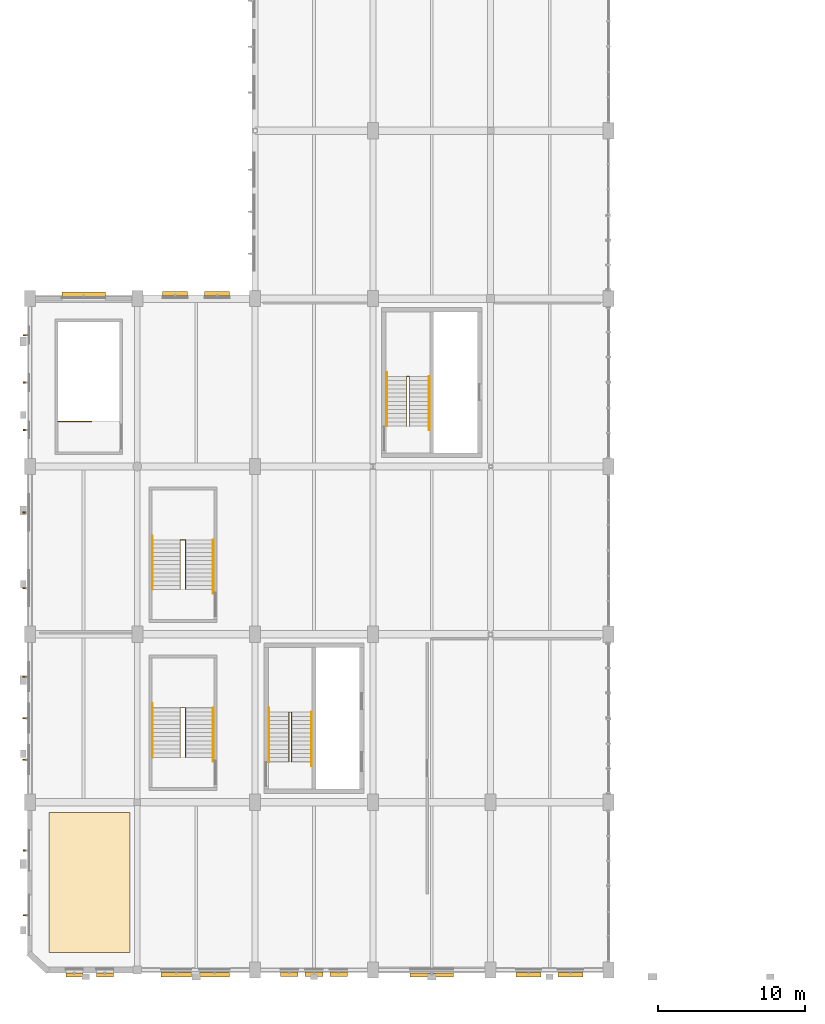
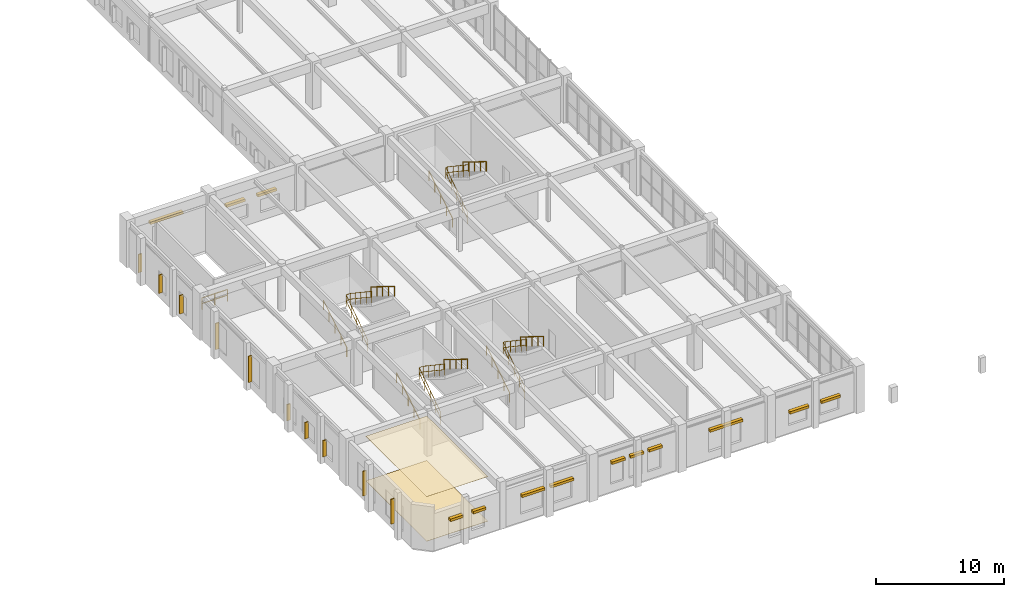
# One storey, part 75 of 80: 23 shading devices, 13 railings, 2 coverings.
"""IFC4 building model written with IfcOpenShell, lengths in metres."""

import ifcopenshell
import ifcopenshell.guid

model = None  # the IFC model being written
_history = None  # IfcOwnerHistory: only IFC2X3 demands one
_inside = {}  # id of a spatial element -> (the spatial element, [elements in it])
_under = {}  # id of a project, library or spatial element -> (it, [spatial elements below it])
_declared = {}  # id of a project -> (the project, [libraries it declares])
_typed = {}  # id of a type object -> (the type object, [elements of that type])
_made_of = {}  # id of a material, layer set ... -> (it, [elements and type objects made of it])


def new_model(schema):
    """Start an empty IFC model of exactly this schema.

    Asked for "IFC4X3", IfcOpenShell would pick the latest addendum, in which some entities
    have other attributes; the version numbers below select the first issue.
    IFC2X3 requires an IfcOwnerHistory on every rooted entity: one is made here for all.
    """
    global model, _history
    if schema == "IFC4X3":
        model = ifcopenshell.file(schema_version=(4, 3, 0, 0))
    else:
        model = ifcopenshell.file(schema=schema)
    _inside.clear()
    _under.clear()
    _declared.clear()
    _typed.clear()
    _made_of.clear()
    _history = None
    if model.schema == "IFC2X3":
        org = make("IfcOrganization", Name="unknown")
        user = make(
            "IfcPersonAndOrganization",
            ThePerson=make("IfcPerson", FamilyName="unknown"),
            TheOrganization=org,
        )
        app = make(
            "IfcApplication",
            ApplicationDeveloper=org,
            Version="unknown",
            ApplicationFullName="unknown",
            ApplicationIdentifier="unknown",
        )
        _history = make(
            "IfcOwnerHistory",
            OwningUser=user,
            OwningApplication=app,
            ChangeAction="ADDED",
            CreationDate=0,
        )
    return model


def make(cls, **values):
    """One entity of the class cls with the attributes given. An attribute that is None is left unset."""
    return model.create_entity(
        cls, **{name: value for name, value in values.items() if value is not None}
    )


def rooted(cls, **values):
    """An entity with a GlobalId (a new one), such as an element, a storey or a relation."""
    return make(cls, GlobalId=ifcopenshell.guid.new(), OwnerHistory=_history, **values)


def si_unit(unit_type, name, prefix=None):
    """IfcSIUnit, for example si_unit("LENGTHUNIT", "METRE", prefix="MILLI")."""
    return make("IfcSIUnit", UnitType=unit_type, Prefix=prefix, Name=name)


def assignment(units):
    """IfcUnitAssignment: the units of a project."""
    return None if units is None else make("IfcUnitAssignment", Units=units)


def point(xyz):
    """IfcCartesianPoint."""
    return None if xyz is None else make("IfcCartesianPoint", Coordinates=xyz)


def direction(xyz):
    """IfcDirection."""
    return None if xyz is None else make("IfcDirection", DirectionRatios=xyz)


def frame(location, z_axis=None, x_axis=None):
    """IfcAxis2Placement3D, a coordinate frame: its origin and axes. An axis left out is left unset."""
    return make(
        "IfcAxis2Placement3D",
        Location=point(location),
        Axis=direction(z_axis),
        RefDirection=direction(x_axis),
    )


def frame_2d(location, x_axis=None):
    """IfcAxis2Placement2D, a coordinate frame in the plane: its origin and x axis."""
    return make(
        "IfcAxis2Placement2D", Location=point(location), RefDirection=direction(x_axis)
    )


def origin():
    """The frame at (0, 0, 0) with its axes left unset."""
    return frame((0.0, 0.0, 0.0))


def origin_2d():
    """The frame at (0, 0) in the plane with its x axis left unset."""
    return frame_2d((0.0, 0.0))


def place(relative_to, where):
    """IfcLocalPlacement: puts the frame where relative to a parent placement (None: the world)."""
    return make(
        "IfcLocalPlacement", PlacementRelTo=relative_to, RelativePlacement=where
    )


def context(
    kind, dimensions, precision=None, world=None, true_north=None, identifier=None
):
    """IfcGeometricRepresentationContext, for example the 3D "Model" context."""
    return make(
        "IfcGeometricRepresentationContext",
        ContextIdentifier=identifier,
        ContextType=kind,
        CoordinateSpaceDimension=dimensions,
        Precision=precision,
        WorldCoordinateSystem=world,
        TrueNorth=true_north,
    )


def subcontext(parent, identifier, kind, view, scale=None):
    """IfcGeometricRepresentationSubContext, for example "Body" below "Model"."""
    return make(
        "IfcGeometricRepresentationSubContext",
        ContextIdentifier=identifier,
        ContextType=kind,
        ParentContext=parent,
        TargetScale=scale,
        TargetView=view,
    )


def project(units=None, contexts=None):
    """IfcProject with its units and contexts."""
    return rooted(
        "IfcProject",
        Name="project",
        RepresentationContexts=contexts,
        UnitsInContext=assignment(units),
    )


def spatial(cls, under=None, at=None, **own):
    """A site, building, storey or space (cls), placed at a placement, below another one or the project."""
    s = rooted(cls, ObjectPlacement=at, **own)
    if under is not None:
        _under.setdefault(under.id(), (under, []))[1].append(s)
    return s


def polyline(points):
    """IfcPolyline through the points."""
    return make("IfcPolyline", Points=[point(p) for p in points])


def profile(cls, at=None, kind="AREA", **sizes):
    """A parametric profile (cls). Its sizes go by their IFC names, for example OverallWidth=200.0."""
    return make(cls, ProfileType=kind, Position=at, **sizes)


def rectangle(**sizes):
    """IfcRectangleProfileDef."""
    return profile("IfcRectangleProfileDef", **sizes)


def circle(**sizes):
    """IfcCircleProfileDef."""
    return profile("IfcCircleProfileDef", **sizes)


def outline(outer, holes=None, kind="AREA"):
    """IfcArbitraryClosedProfileDef: a profile drawn as a closed curve; with holes, ...WithVoids."""
    if holes is None:
        return make("IfcArbitraryClosedProfileDef", ProfileType=kind, OuterCurve=outer)
    return make(
        "IfcArbitraryProfileDefWithVoids",
        ProfileType=kind,
        OuterCurve=outer,
        InnerCurves=holes,
    )


def extrude(swept, where, along, depth):
    """IfcExtrudedAreaSolid: the profile swept, set in the frame where, extruded along a direction by depth."""
    return make(
        "IfcExtrudedAreaSolid",
        SweptArea=swept,
        Position=where,
        ExtrudedDirection=direction(along),
        Depth=depth,
    )


def shape(context_of_items, identifier, shape_type, items):
    """IfcShapeRepresentation: the items that make up one representation, for example the "Body"."""
    return make(
        "IfcShapeRepresentation",
        ContextOfItems=context_of_items,
        RepresentationIdentifier=identifier,
        RepresentationType=shape_type,
        Items=items,
    )


def material(Name=None, Category=None):
    """IfcMaterial."""
    return make("IfcMaterial", Name=Name, Category=Category)


def layer(
    of_material, thickness, ventilated=None, Name=None, Category=None, Priority=None
):
    """IfcMaterialLayer: one layer of a wall or slab, of a material (None: an air gap)."""
    return make(
        "IfcMaterialLayer",
        Material=of_material,
        LayerThickness=thickness,
        IsVentilated=ventilated,
        Name=Name,
        Category=Category,
        Priority=Priority,
    )


def layer_set(layers, Name=None):
    """IfcMaterialLayerSet."""
    return make("IfcMaterialLayerSet", MaterialLayers=layers, LayerSetName=Name)


def made_of(thing, what):
    """Note that an element or type object is made of a material, layer set ...; save() writes the relation."""
    if what is not None:
        _made_of.setdefault(what.id(), (what, []))[1].append(thing)
    return thing


def type_object(cls, material=None, **own):
    """A type object (cls), such as IfcWallType, which elements share."""
    return made_of(rooted(cls, **own), material)


def element(
    cls,
    number,
    at=None,
    inside=None,
    cuts=None,
    type_object=None,
    material=None,
    context=None,
    identifier="Body",
    shape_type=None,
    held_by="IfcProductDefinitionShape",
    body=None,
    shapes=None,
    **own,
):
    """One element of the class cls, such as IfcWall. Its Tag is "e" and its number.

    at: its placement. inside: the storey or other place that contains it. cuts: it is an
    opening in that element (IfcRelVoidsElement). A single representation is given by context,
    identifier, shape_type and body (its items); several are given by shapes. held_by: the class
    of the entity that holds the representations. save() writes the other relations.
    """
    e = rooted(cls, Tag="e%d" % number, ObjectPlacement=at, **own)
    if body is not None:
        shapes = [shape(context, identifier, shape_type, body)]
    if shapes is not None:
        e.Representation = make(held_by, Representations=shapes)
    if inside is not None:
        _inside.setdefault(inside.id(), (inside, []))[1].append(e)
    if cuts is not None:
        rooted(
            "IfcRelVoidsElement", RelatingBuildingElement=cuts, RelatedOpeningElement=e
        )
    if type_object is not None:
        _typed.setdefault(type_object.id(), (type_object, []))[1].append(e)
    return made_of(e, material)


def aggregate(whole, parts):
    """IfcRelAggregates: a whole, such as a stair, and the parts it consists of."""
    return rooted("IfcRelAggregates", RelatingObject=whole, RelatedObjects=parts)


def save(model, path):
    """Write the relations noted so far, then the file.

    IfcRelAggregates (storeys below a building ...), IfcRelContainedInSpatialStructure (elements
    in a storey), IfcRelDefinesByType, IfcRelAssociatesMaterial and IfcRelDeclares: one each for
    every whole, place, type object, material and project.
    """
    for whole, parts in _under.values():
        aggregate(whole, parts)
    for where, things in _inside.values():
        rooted(
            "IfcRelContainedInSpatialStructure",
            RelatedElements=things,
            RelatingStructure=where,
        )
    for kind, things in _typed.values():
        rooted("IfcRelDefinesByType", RelatedObjects=things, RelatingType=kind)
    for what, things in _made_of.values():
        rooted("IfcRelAssociatesMaterial", RelatedObjects=things, RelatingMaterial=what)
    for by, libraries in _declared.values():
        rooted("IfcRelDeclares", RelatingContext=by, RelatedDefinitions=libraries)
    model.write(path)


model = new_model("IFC4")

# Units and contexts
model_context = context("Model", 3, precision=1e-05, world=origin(), true_north=direction((0.0, 1.0)))
body_context = subcontext(model_context, "Body", "Model", "MODEL_VIEW")
ifc_project = project(units=[si_unit("LENGTHUNIT", "METRE"), si_unit("AREAUNIT", "SQUARE_METRE"), si_unit("VOLUMEUNIT", "CUBIC_METRE"), si_unit("PLANEANGLEUNIT", "RADIAN"), si_unit("MASSUNIT", "GRAM", prefix="KILO"), si_unit("POWERUNIT", "WATT"), si_unit("THERMODYNAMICTEMPERATUREUNIT", "KELVIN")], contexts=[model_context])

# Site, building, storey
site_placement = place(None, origin())
site = spatial("IfcSite", under=ifc_project, at=site_placement, CompositionType="ELEMENT")
building_placement = place(site_placement, origin())
building = spatial("IfcBuilding", under=site, at=building_placement, Name="Kelmbourne Parkland Aquatics Centre", CompositionType="ELEMENT")
storey_placement = place(building_placement, frame((0.0, 0.0, 10.199951171875)))
storey = spatial("IfcBuildingStorey", under=building, at=storey_placement, Name="L02", CompositionType="ELEMENT", Elevation=10.199951171875)

# Coverings
ifc_material_1 = material(Name="Moisture-resistant acoustic mineral-fibre baffle ceiling", Category="gypsum")
ifc_layer_1 = layer(ifc_material_1, 0.02490234375)
ifc_layer_set_1 = layer_set([ifc_layer_1], Name="Moisture-resistant acoustic mineral-fibre baffle ceiling")
covering_type_1 = type_object("IfcCoveringType", Name="COV-CLG-AC", PredefinedType="CEILING", material=ifc_layer_set_1)
covering_1_placement = place(storey_placement, frame((0.0, 0.0, 4.235107421875)))
element("IfcCovering", 1, at=covering_1_placement, inside=storey, type_object=covering_type_1, Name="ThermalSuite acoustic ceiling baffles", PredefinedType="CEILING", context=body_context, shape_type="SweptSolid", body=[
    extrude(outline(polyline([(2.0, 2.0), (7.5, 2.0), (7.5, 11.5), (2.0, 11.5), (2.0, 2.0)])), origin(), (0.0, 0.0, 1.0), 0.02490234375),
])
ifc_material_2 = material(Name="Anti-slip vitrified ceramic aquatic deck tile", Category="ceramic")
ifc_layer_2 = layer(ifc_material_2, 0.02001953125)
ifc_layer_set_2 = layer_set([ifc_layer_2], Name="Anti-slip vitrified ceramic aquatic deck tile")
covering_type_2 = type_object("IfcCoveringType", Name="COV-FLR-TILE", PredefinedType="FLOORING", material=ifc_layer_set_2)
covering_2_placement = place(storey_placement, origin())
element("IfcCovering", 2, at=covering_2_placement, inside=storey, type_object=covering_type_2, Name="ThermalSuite anti-slip floor tiling", PredefinedType="FLOORING", context=body_context, shape_type="SweptSolid", body=[
    extrude(outline(polyline([(2.0, 2.0), (7.5, 2.0), (7.5, 11.5), (2.0, 11.5), (2.0, 2.0)])), origin(), (0.0, 0.0, 1.0), 0.02001953125),
])

# Railings
ifc_material_3 = material(Name="Grade 316 marine stainless steel", Category="steel")
railing_type_1 = type_object("IfcRailingType", Name="RL-GD-112", PredefinedType="GUARDRAIL", material=ifc_material_3)
railing_1_placement = place(storey_placement, frame((18.307373046875, 14.949951171875, 0.0)))
element("IfcRailing", 3, at=railing_1_placement, inside=storey, type_object=railing_type_1, Name="West Wing South Fire-Fighting Core Stair ST01 well guardrail", PredefinedType="GUARDRAIL", context=body_context, shape_type="SweptSolid", body=[
    extrude(circle(Radius=0.02392578125, at=origin_2d()), frame((0.0, 0.0, 1.09619140625), z_axis=(0.0, 0.830915400975, 0.556398774641), x_axis=(-1.0, 0.0, 0.0)), (0.0, 0.0, 1.0), 4.0439453125),
    extrude(circle(Radius=0.02392578125, at=origin_2d()), frame((0.0, 0.0, 0.56005859375), z_axis=(0.0, 0.830915400975, 0.556398774641), x_axis=(-1.0, 0.0, 0.0)), (0.0, 0.0, 1.0), 4.0439453125),
    extrude(circle(Radius=0.02392578125, at=origin_2d()), frame((0.0, 3.360107421875, 3.34619140625), z_axis=(1.0, 0.0, 0.0), x_axis=(0.0, 1.0, 0.0)), (0.0, 0.0, 1.0), 0.16015625),
    extrude(circle(Radius=0.02392578125, at=origin_2d()), frame((0.0, 3.360107421875, 2.81005859375), z_axis=(1.0, 0.0, 0.0), x_axis=(0.0, 1.0, 0.0)), (0.0, 0.0, 1.0), 0.16015625),
    extrude(circle(Radius=0.02392578125, at=origin_2d()), frame((0.16015625, 3.360107421875, 3.34619140625), z_axis=(0.0, -0.830915400975, 0.556398774641), x_axis=(1.0, 0.0, 0.0)), (0.0, 0.0, 1.0), 4.0439453125),
    extrude(circle(Radius=0.02392578125, at=origin_2d()), frame((0.16015625, 3.360107421875, 2.81005859375), z_axis=(0.0, -0.830915400975, 0.556398774641), x_axis=(1.0, 0.0, 0.0)), (0.0, 0.0, 1.0), 4.0439453125),
    extrude(circle(Radius=0.02099609375, at=origin_2d()), origin(), (0.0, 0.0, 1.0), 1.072021484375),
    extrude(circle(Radius=0.02099609375, at=origin_2d()), frame((0.0, 0.840087890625, 0.5625)), (0.0, 0.0, 1.0), 1.072021484375),
    extrude(circle(Radius=0.02099609375, at=origin_2d()), frame((0.0, 1.68017578125, 1.125)), (0.0, 0.0, 1.0), 1.072021484375),
    extrude(circle(Radius=0.02099609375, at=origin_2d()), frame((0.0, 2.52001953125, 1.6875)), (0.0, 0.0, 1.0), 1.072021484375),
    extrude(circle(Radius=0.02099609375, at=origin_2d()), frame((0.0, 3.360107421875, 2.25)), (0.0, 0.0, 1.0), 1.072021484375),
    extrude(circle(Radius=0.02099609375, at=origin_2d()), frame((0.16015625, 3.360107421875, 2.25)), (0.0, 0.0, 1.0), 1.072021484375),
    extrude(circle(Radius=0.02099609375, at=origin_2d()), frame((0.16015625, 2.52001953125, 2.8125)), (0.0, 0.0, 1.0), 1.072021484375),
    extrude(circle(Radius=0.02099609375, at=origin_2d()), frame((0.16015625, 1.68017578125, 3.375)), (0.0, 0.0, 1.0), 1.072021484375),
    extrude(circle(Radius=0.02099609375, at=origin_2d()), frame((0.16015625, 0.840087890625, 3.9375)), (0.0, 0.0, 1.0), 1.072021484375),
    extrude(circle(Radius=0.02099609375, at=origin_2d()), frame((0.16015625, 0.0, 4.5)), (0.0, 0.0, 1.0), 1.072021484375),
])
railing_2_placement = place(storey_placement, frame((26.307373046875, 37.75, 0.0)))
element("IfcRailing", 4, at=railing_2_placement, inside=storey, type_object=railing_type_1, Name="West Wing North Passenger Core Stair ST02 well guardrail", PredefinedType="GUARDRAIL", context=body_context, shape_type="SweptSolid", body=[
    extrude(circle(Radius=0.02392578125, at=origin_2d()), frame((0.0, 0.0, 1.09619140625), z_axis=(0.0, 0.830915400975, 0.556398774641), x_axis=(-1.0, 0.0, 0.0)), (0.0, 0.0, 1.0), 4.0439453125),
    extrude(circle(Radius=0.02392578125, at=origin_2d()), frame((0.0, 0.0, 0.56005859375), z_axis=(0.0, 0.830915400975, 0.556398774641), x_axis=(-1.0, 0.0, 0.0)), (0.0, 0.0, 1.0), 4.0439453125),
    extrude(circle(Radius=0.02392578125, at=origin_2d()), frame((0.0, 3.360107421875, 3.34619140625), z_axis=(1.0, 0.0, 0.0), x_axis=(0.0, 1.0, 0.0)), (0.0, 0.0, 1.0), 0.16015625),
    extrude(circle(Radius=0.02392578125, at=origin_2d()), frame((0.0, 3.360107421875, 2.81005859375), z_axis=(1.0, 0.0, 0.0), x_axis=(0.0, 1.0, 0.0)), (0.0, 0.0, 1.0), 0.16015625),
    extrude(circle(Radius=0.02392578125, at=origin_2d()), frame((0.16015625, 3.360107421875, 3.34619140625), z_axis=(0.0, -0.830915400975, 0.556398774641), x_axis=(1.0, 0.0, 0.0)), (0.0, 0.0, 1.0), 4.0439453125),
    extrude(circle(Radius=0.02392578125, at=origin_2d()), frame((0.16015625, 3.360107421875, 2.81005859375), z_axis=(0.0, -0.830915400975, 0.556398774641), x_axis=(1.0, 0.0, 0.0)), (0.0, 0.0, 1.0), 4.0439453125),
    extrude(circle(Radius=0.02099609375, at=origin_2d()), origin(), (0.0, 0.0, 1.0), 1.072021484375),
    extrude(circle(Radius=0.02099609375, at=origin_2d()), frame((0.0, 0.840087890625, 0.5625)), (0.0, 0.0, 1.0), 1.072021484375),
    extrude(circle(Radius=0.02099609375, at=origin_2d()), frame((0.0, 1.68017578125, 1.125)), (0.0, 0.0, 1.0), 1.072021484375),
    extrude(circle(Radius=0.02099609375, at=origin_2d()), frame((0.0, 2.52001953125, 1.6875)), (0.0, 0.0, 1.0), 1.072021484375),
    extrude(circle(Radius=0.02099609375, at=origin_2d()), frame((0.0, 3.360107421875, 2.25)), (0.0, 0.0, 1.0), 1.072021484375),
    extrude(circle(Radius=0.02099609375, at=origin_2d()), frame((0.16015625, 3.360107421875, 2.25)), (0.0, 0.0, 1.0), 1.072021484375),
    extrude(circle(Radius=0.02099609375, at=origin_2d()), frame((0.16015625, 2.52001953125, 2.8125)), (0.0, 0.0, 1.0), 1.072021484375),
    extrude(circle(Radius=0.02099609375, at=origin_2d()), frame((0.16015625, 1.68017578125, 3.375)), (0.0, 0.0, 1.0), 1.072021484375),
    extrude(circle(Radius=0.02099609375, at=origin_2d()), frame((0.16015625, 0.840087890625, 3.9375)), (0.0, 0.0, 1.0), 1.072021484375),
    extrude(circle(Radius=0.02099609375, at=origin_2d()), frame((0.16015625, 0.0, 4.5)), (0.0, 0.0, 1.0), 1.072021484375),
])
railing_3_placement = place(storey_placement, frame((10.919921875, 15.25, 0.0)))
element("IfcRailing", 5, at=railing_3_placement, inside=storey, type_object=railing_type_1, Name="West South Perimeter Exit Stair well guardrail", PredefinedType="GUARDRAIL", context=body_context, shape_type="SweptSolid", body=[
    extrude(circle(Radius=0.02392578125, at=origin_2d()), frame((0.0, 0.0, 1.09619140625), z_axis=(0.0, 0.830915400975, 0.556398774641), x_axis=(-1.0, 0.0, 0.0)), (0.0, 0.0, 1.0), 4.0439453125),
    extrude(circle(Radius=0.02392578125, at=origin_2d()), frame((0.0, 0.0, 0.56005859375), z_axis=(0.0, 0.830915400975, 0.556398774641), x_axis=(-1.0, 0.0, 0.0)), (0.0, 0.0, 1.0), 4.0439453125),
    extrude(circle(Radius=0.02392578125, at=origin_2d()), frame((0.0, 3.360107421875, 3.34619140625), z_axis=(1.0, 0.0, 0.0), x_axis=(0.0, 1.0, 0.0)), (0.0, 0.0, 1.0), 0.360107421875),
    extrude(circle(Radius=0.02392578125, at=origin_2d()), frame((0.0, 3.360107421875, 2.81005859375), z_axis=(1.0, 0.0, 0.0), x_axis=(0.0, 1.0, 0.0)), (0.0, 0.0, 1.0), 0.360107421875),
    extrude(circle(Radius=0.02392578125, at=origin_2d()), frame((0.360107421875, 3.360107421875, 3.34619140625), z_axis=(0.0, -0.830915400975, 0.556398774641), x_axis=(1.0, 0.0, 0.0)), (0.0, 0.0, 1.0), 4.0439453125),
    extrude(circle(Radius=0.02392578125, at=origin_2d()), frame((0.360107421875, 3.360107421875, 2.81005859375), z_axis=(0.0, -0.830915400975, 0.556398774641), x_axis=(1.0, 0.0, 0.0)), (0.0, 0.0, 1.0), 4.0439453125),
    extrude(circle(Radius=0.02099609375, at=origin_2d()), origin(), (0.0, 0.0, 1.0), 1.072021484375),
    extrude(circle(Radius=0.02099609375, at=origin_2d()), frame((0.0, 0.840087890625, 0.5625)), (0.0, 0.0, 1.0), 1.072021484375),
    extrude(circle(Radius=0.02099609375, at=origin_2d()), frame((0.0, 1.68017578125, 1.125)), (0.0, 0.0, 1.0), 1.072021484375),
    extrude(circle(Radius=0.02099609375, at=origin_2d()), frame((0.0, 2.52001953125, 1.6875)), (0.0, 0.0, 1.0), 1.072021484375),
    extrude(circle(Radius=0.02099609375, at=origin_2d()), frame((0.0, 3.360107421875, 2.25)), (0.0, 0.0, 1.0), 1.072021484375),
    extrude(circle(Radius=0.02099609375, at=origin_2d()), frame((0.360107421875, 3.360107421875, 2.25)), (0.0, 0.0, 1.0), 1.072021484375),
    extrude(circle(Radius=0.02099609375, at=origin_2d()), frame((0.360107421875, 2.52001953125, 2.8125)), (0.0, 0.0, 1.0), 1.072021484375),
    extrude(circle(Radius=0.02099609375, at=origin_2d()), frame((0.360107421875, 1.68017578125, 3.375)), (0.0, 0.0, 1.0), 1.072021484375),
    extrude(circle(Radius=0.02099609375, at=origin_2d()), frame((0.360107421875, 0.840087890625, 3.9375)), (0.0, 0.0, 1.0), 1.072021484375),
    extrude(circle(Radius=0.02099609375, at=origin_2d()), frame((0.360107421875, 0.0, 4.5)), (0.0, 0.0, 1.0), 1.072021484375),
])
railing_4_placement = place(storey_placement, frame((10.919921875, 26.64990234375, 0.0)))
element("IfcRailing", 6, at=railing_4_placement, inside=storey, type_object=railing_type_1, Name="West Central Park Exit Stair well guardrail", PredefinedType="GUARDRAIL", context=body_context, shape_type="SweptSolid", body=[
    extrude(circle(Radius=0.02392578125, at=origin_2d()), frame((0.0, 0.0, 1.09619140625), z_axis=(0.0, 0.830915400975, 0.556398774641), x_axis=(-1.0, 0.0, 0.0)), (0.0, 0.0, 1.0), 4.0439453125),
    extrude(circle(Radius=0.02392578125, at=origin_2d()), frame((0.0, 0.0, 0.56005859375), z_axis=(0.0, 0.830915400975, 0.556398774641), x_axis=(-1.0, 0.0, 0.0)), (0.0, 0.0, 1.0), 4.0439453125),
    extrude(circle(Radius=0.02392578125, at=origin_2d()), frame((0.0, 3.360107421875, 3.34619140625), z_axis=(1.0, 0.0, 0.0), x_axis=(0.0, 1.0, 0.0)), (0.0, 0.0, 1.0), 0.360107421875),
    extrude(circle(Radius=0.02392578125, at=origin_2d()), frame((0.0, 3.360107421875, 2.81005859375), z_axis=(1.0, 0.0, 0.0), x_axis=(0.0, 1.0, 0.0)), (0.0, 0.0, 1.0), 0.360107421875),
    extrude(circle(Radius=0.02392578125, at=origin_2d()), frame((0.360107421875, 3.360107421875, 3.34619140625), z_axis=(0.0, -0.830915400975, 0.556398774641), x_axis=(1.0, 0.0, 0.0)), (0.0, 0.0, 1.0), 4.0439453125),
    extrude(circle(Radius=0.02392578125, at=origin_2d()), frame((0.360107421875, 3.360107421875, 2.81005859375), z_axis=(0.0, -0.830915400975, 0.556398774641), x_axis=(1.0, 0.0, 0.0)), (0.0, 0.0, 1.0), 4.0439453125),
    extrude(circle(Radius=0.02099609375, at=origin_2d()), origin(), (0.0, 0.0, 1.0), 1.072021484375),
    extrude(circle(Radius=0.02099609375, at=origin_2d()), frame((0.0, 0.840087890625, 0.5625)), (0.0, 0.0, 1.0), 1.072021484375),
    extrude(circle(Radius=0.02099609375, at=origin_2d()), frame((0.0, 1.68017578125, 1.125)), (0.0, 0.0, 1.0), 1.072021484375),
    extrude(circle(Radius=0.02099609375, at=origin_2d()), frame((0.0, 2.52001953125, 1.6875)), (0.0, 0.0, 1.0), 1.072021484375),
    extrude(circle(Radius=0.02099609375, at=origin_2d()), frame((0.0, 3.360107421875, 2.25)), (0.0, 0.0, 1.0), 1.072021484375),
    extrude(circle(Radius=0.02099609375, at=origin_2d()), frame((0.360107421875, 3.360107421875, 2.25)), (0.0, 0.0, 1.0), 1.072021484375),
    extrude(circle(Radius=0.02099609375, at=origin_2d()), frame((0.360107421875, 2.52001953125, 2.8125)), (0.0, 0.0, 1.0), 1.072021484375),
    extrude(circle(Radius=0.02099609375, at=origin_2d()), frame((0.360107421875, 1.68017578125, 3.375)), (0.0, 0.0, 1.0), 1.072021484375),
    extrude(circle(Radius=0.02099609375, at=origin_2d()), frame((0.360107421875, 0.840087890625, 3.9375)), (0.0, 0.0, 1.0), 1.072021484375),
    extrude(circle(Radius=0.02099609375, at=origin_2d()), frame((0.360107421875, 0.0, 4.5)), (0.0, 0.0, 1.0), 1.072021484375),
])
railing_5_placement = place(storey_placement, frame((2.6201171875, 38.050048828125, 0.0)))
element("IfcRailing", 7, at=railing_5_placement, inside=storey, type_object=railing_type_1, Name="West Hydrotherapy Exit Stair top well guardrail", PredefinedType="GUARDRAIL", context=body_context, shape_type="SweptSolid", body=[
    extrude(circle(Radius=0.02392578125, at=origin_2d()), frame((0.0, 0.0, 1.09619140625), z_axis=(1.0, 0.0, 0.0), x_axis=(0.0, 1.0, 0.0)), (0.0, 0.0, 1.0), 2.259765625),
    extrude(circle(Radius=0.02392578125, at=origin_2d()), frame((0.0, 0.0, 0.56005859375), z_axis=(1.0, 0.0, 0.0), x_axis=(0.0, 1.0, 0.0)), (0.0, 0.0, 1.0), 2.259765625),
    extrude(circle(Radius=0.02099609375, at=origin_2d()), origin(), (0.0, 0.0, 1.0), 1.072021484375),
    extrude(circle(Radius=0.02099609375, at=origin_2d()), frame((1.1298828125, 0.0, 0.0)), (0.0, 0.0, 1.0), 1.072021484375),
    extrude(circle(Radius=0.02099609375, at=origin_2d()), frame((2.259765625, 0.0, 0.0)), (0.0, 0.0, 1.0), 1.072021484375),
])
railing_type_2 = type_object("IfcRailingType", Name="RL-HR-92", PredefinedType="HANDRAIL", material=ifc_material_3)
railing_6_placement = place(storey_placement, frame((16.93994140625, 14.949951171875, 0.173095703125)))
element("IfcRailing", 8, at=railing_6_placement, inside=storey, type_object=railing_type_2, Name="West Wing South Fire-Fighting Core Stair ST01 F1 handrail", PredefinedType="HANDRAIL", context=body_context, shape_type="SweptSolid", body=[
    extrude(circle(Radius=0.02392578125, at=origin_2d()), frame((0.0, 0.0, 0.89599609375), z_axis=(0.0, 0.850622404505, 0.525777067734), x_axis=(-1.0, 0.0, 0.0)), (0.0, 0.0, 1.0), 4.279296875),
    extrude(circle(Radius=0.02099609375, at=origin_2d()), origin(), (0.0, 0.0, 1.0), 0.871826171875),
    extrude(circle(Radius=0.02099609375, at=origin_2d()), frame((0.0, 0.91015625, 0.5625)), (0.0, 0.0, 1.0), 0.871826171875),
    extrude(circle(Radius=0.02099609375, at=origin_2d()), frame((0.0, 1.820068359375, 1.125)), (0.0, 0.0, 1.0), 0.871826171875),
    extrude(circle(Radius=0.02099609375, at=origin_2d()), frame((0.0, 2.72998046875, 1.6875)), (0.0, 0.0, 1.0), 0.871826171875),
    extrude(circle(Radius=0.02099609375, at=origin_2d()), frame((0.0, 3.64013671875, 2.25)), (0.0, 0.0, 1.0), 0.871826171875),
])
railing_7_placement = place(storey_placement, frame((19.8349609375, 18.31005859375, 2.423095703125)))
element("IfcRailing", 9, at=railing_7_placement, inside=storey, type_object=railing_type_2, Name="West Wing South Fire-Fighting Core Stair ST01 F2 handrail", PredefinedType="HANDRAIL", context=body_context, shape_type="SweptSolid", body=[
    extrude(circle(Radius=0.02392578125, at=origin_2d()), frame((0.0, 0.0, 0.89599609375), z_axis=(0.0, -0.850622404505, 0.525777067734), x_axis=(1.0, 0.0, 0.0)), (0.0, 0.0, 1.0), 4.279296875),
    extrude(circle(Radius=0.02099609375, at=origin_2d()), origin(), (0.0, 0.0, 1.0), 0.871826171875),
    extrude(circle(Radius=0.02099609375, at=origin_2d()), frame((0.0, -0.91015625, 0.5625)), (0.0, 0.0, 1.0), 0.871826171875),
    extrude(circle(Radius=0.02099609375, at=origin_2d()), frame((0.0, -1.820068359375, 1.125)), (0.0, 0.0, 1.0), 0.871826171875),
    extrude(circle(Radius=0.02099609375, at=origin_2d()), frame((0.0, -2.72998046875, 1.6875)), (0.0, 0.0, 1.0), 0.871826171875),
    extrude(circle(Radius=0.02099609375, at=origin_2d()), frame((0.0, -3.64013671875, 2.25)), (0.0, 0.0, 1.0), 0.871826171875),
])
railing_8_placement = place(storey_placement, frame((24.93994140625, 37.75, 0.173095703125)))
element("IfcRailing", 10, at=railing_8_placement, inside=storey, type_object=railing_type_2, Name="West Wing North Passenger Core Stair ST02 F1 handrail", PredefinedType="HANDRAIL", context=body_context, shape_type="SweptSolid", body=[
    extrude(circle(Radius=0.02392578125, at=origin_2d()), frame((0.0, 0.0, 0.89599609375), z_axis=(0.0, 0.850606632239, 0.525802583857), x_axis=(-1.0, 0.0, 0.0)), (0.0, 0.0, 1.0), 4.279052734375),
    extrude(circle(Radius=0.02099609375, at=origin_2d()), origin(), (0.0, 0.0, 1.0), 0.871826171875),
    extrude(circle(Radius=0.02099609375, at=origin_2d()), frame((0.0, 0.909912109375, 0.5625)), (0.0, 0.0, 1.0), 0.871826171875),
    extrude(circle(Radius=0.02099609375, at=origin_2d()), frame((0.0, 1.81982421875, 1.125)), (0.0, 0.0, 1.0), 0.871826171875),
    extrude(circle(Radius=0.02099609375, at=origin_2d()), frame((0.0, 2.72998046875, 1.6875)), (0.0, 0.0, 1.0), 0.871826171875),
    extrude(circle(Radius=0.02099609375, at=origin_2d()), frame((0.0, 3.639892578125, 2.25)), (0.0, 0.0, 1.0), 0.871826171875),
])
railing_9_placement = place(storey_placement, frame((27.8349609375, 41.110107421875, 2.423095703125)))
element("IfcRailing", 11, at=railing_9_placement, inside=storey, type_object=railing_type_2, Name="West Wing North Passenger Core Stair ST02 F2 handrail", PredefinedType="HANDRAIL", context=body_context, shape_type="SweptSolid", body=[
    extrude(circle(Radius=0.02392578125, at=origin_2d()), frame((0.0, 0.0, 0.89599609375), z_axis=(0.0, -0.850622404505, 0.525777067734), x_axis=(1.0, 0.0, 0.0)), (0.0, 0.0, 1.0), 4.279296875),
    extrude(circle(Radius=0.02099609375, at=origin_2d()), origin(), (0.0, 0.0, 1.0), 0.871826171875),
    extrude(circle(Radius=0.02099609375, at=origin_2d()), frame((0.0, -0.91015625, 0.5625)), (0.0, 0.0, 1.0), 0.871826171875),
    extrude(circle(Radius=0.02099609375, at=origin_2d()), frame((0.0, -1.820068359375, 1.125)), (0.0, 0.0, 1.0), 0.871826171875),
    extrude(circle(Radius=0.02099609375, at=origin_2d()), frame((0.0, -2.72998046875, 1.6875)), (0.0, 0.0, 1.0), 0.871826171875),
    extrude(circle(Radius=0.02099609375, at=origin_2d()), frame((0.0, -3.64013671875, 2.25)), (0.0, 0.0, 1.0), 0.871826171875),
])
railing_10_placement = place(storey_placement, frame((9.0400390625, 15.25, 0.173095703125)))
element("IfcRailing", 12, at=railing_10_placement, inside=storey, type_object=railing_type_2, Name="West South Perimeter Exit Stair F1 handrail", PredefinedType="HANDRAIL", context=body_context, shape_type="SweptSolid", body=[
    extrude(circle(Radius=0.02392578125, at=origin_2d()), frame((0.0, 0.0, 0.89599609375), z_axis=(0.0, 0.850606632239, 0.525802583857), x_axis=(-1.0, 0.0, 0.0)), (0.0, 0.0, 1.0), 4.279052734375),
    extrude(circle(Radius=0.02099609375, at=origin_2d()), origin(), (0.0, 0.0, 1.0), 0.871826171875),
    extrude(circle(Radius=0.02099609375, at=origin_2d()), frame((0.0, 0.909912109375, 0.5625)), (0.0, 0.0, 1.0), 0.871826171875),
    extrude(circle(Radius=0.02099609375, at=origin_2d()), frame((0.0, 1.81982421875, 1.125)), (0.0, 0.0, 1.0), 0.871826171875),
    extrude(circle(Radius=0.02099609375, at=origin_2d()), frame((0.0, 2.72998046875, 1.6875)), (0.0, 0.0, 1.0), 0.871826171875),
    extrude(circle(Radius=0.02099609375, at=origin_2d()), frame((0.0, 3.639892578125, 2.25)), (0.0, 0.0, 1.0), 0.871826171875),
])
railing_11_placement = place(storey_placement, frame((13.159912109375, 18.610107421875, 2.423095703125)))
element("IfcRailing", 13, at=railing_11_placement, inside=storey, type_object=railing_type_2, Name="West South Perimeter Exit Stair F2 handrail", PredefinedType="HANDRAIL", context=body_context, shape_type="SweptSolid", body=[
    extrude(circle(Radius=0.02392578125, at=origin_2d()), frame((0.0, 0.0, 0.89599609375), z_axis=(0.0, -0.850622404505, 0.525777067734), x_axis=(1.0, 0.0, 0.0)), (0.0, 0.0, 1.0), 4.279296875),
    extrude(circle(Radius=0.02099609375, at=origin_2d()), origin(), (0.0, 0.0, 1.0), 0.871826171875),
    extrude(circle(Radius=0.02099609375, at=origin_2d()), frame((0.0, -0.91015625, 0.5625)), (0.0, 0.0, 1.0), 0.871826171875),
    extrude(circle(Radius=0.02099609375, at=origin_2d()), frame((0.0, -1.820068359375, 1.125)), (0.0, 0.0, 1.0), 0.871826171875),
    extrude(circle(Radius=0.02099609375, at=origin_2d()), frame((0.0, -2.72998046875, 1.6875)), (0.0, 0.0, 1.0), 0.871826171875),
    extrude(circle(Radius=0.02099609375, at=origin_2d()), frame((0.0, -3.64013671875, 2.25)), (0.0, 0.0, 1.0), 0.871826171875),
])
railing_12_placement = place(storey_placement, frame((9.0400390625, 26.64990234375, 0.173095703125)))
element("IfcRailing", 14, at=railing_12_placement, inside=storey, type_object=railing_type_2, Name="West Central Park Exit Stair F1 handrail", PredefinedType="HANDRAIL", context=body_context, shape_type="SweptSolid", body=[
    extrude(circle(Radius=0.02392578125, at=origin_2d()), frame((0.0, 0.0, 0.89599609375), z_axis=(0.0, 0.850622404505, 0.525777067734), x_axis=(-1.0, 0.0, 0.0)), (0.0, 0.0, 1.0), 4.279296875),
    extrude(circle(Radius=0.02099609375, at=origin_2d()), origin(), (0.0, 0.0, 1.0), 0.871826171875),
    extrude(circle(Radius=0.02099609375, at=origin_2d()), frame((0.0, 0.91015625, 0.5625)), (0.0, 0.0, 1.0), 0.871826171875),
    extrude(circle(Radius=0.02099609375, at=origin_2d()), frame((0.0, 1.820068359375, 1.125)), (0.0, 0.0, 1.0), 0.871826171875),
    extrude(circle(Radius=0.02099609375, at=origin_2d()), frame((0.0, 2.72998046875, 1.6875)), (0.0, 0.0, 1.0), 0.871826171875),
    extrude(circle(Radius=0.02099609375, at=origin_2d()), frame((0.0, 3.64013671875, 2.25)), (0.0, 0.0, 1.0), 0.871826171875),
])
railing_13_placement = place(storey_placement, frame((13.159912109375, 30.010009765625, 2.423095703125)))
element("IfcRailing", 15, at=railing_13_placement, inside=storey, type_object=railing_type_2, Name="West Central Park Exit Stair F2 handrail", PredefinedType="HANDRAIL", context=body_context, shape_type="SweptSolid", body=[
    extrude(circle(Radius=0.02392578125, at=origin_2d()), frame((0.0, 0.0, 0.89599609375), z_axis=(0.0, -0.850606632239, 0.525802583857), x_axis=(1.0, 0.0, 0.0)), (0.0, 0.0, 1.0), 4.279052734375),
    extrude(circle(Radius=0.02099609375, at=origin_2d()), origin(), (0.0, 0.0, 1.0), 0.871826171875),
    extrude(circle(Radius=0.02099609375, at=origin_2d()), frame((0.0, -0.909912109375, 0.5625)), (0.0, 0.0, 1.0), 0.871826171875),
    extrude(circle(Radius=0.02099609375, at=origin_2d()), frame((0.0, -1.81982421875, 1.125)), (0.0, 0.0, 1.0), 0.871826171875),
    extrude(circle(Radius=0.02099609375, at=origin_2d()), frame((0.0, -2.72998046875, 1.6875)), (0.0, 0.0, 1.0), 0.871826171875),
    extrude(circle(Radius=0.02099609375, at=origin_2d()), frame((0.0, -3.639892578125, 2.25)), (0.0, 0.0, 1.0), 0.871826171875),
])

# Shading devices
ifc_material_4 = material(Name="Architectural extruded terracotta baguettes", Category="masonry")
shading_device_type_1 = type_object("IfcShadingDeviceType", Name="SHD-FIN-1", PredefinedType="USERDEFINED", material=ifc_material_4)
for number, where, z_axis, x_axis, name in (
    (16, (0.405029296875, 4.52490234375, 0.75), (0.0, 0.0, 1.0), (0.0, 1.0, 0.0), "Terracotta vertical solar fin 128"),
    (17, (0.405029296875, 8.923095703125, 0.75), (0.0, 0.0, 1.0), (0.0, 1.0, 0.0), "Terracotta vertical solar fin 129"),
):
    element("IfcShadingDevice", number, at=place(storey_placement, frame(where, z_axis=z_axis, x_axis=x_axis)), inside=storey, type_object=shading_device_type_1, Name=name, ObjectType="SOLAR FIN", PredefinedType="USERDEFINED", context=body_context, shape_type="SweptSolid", body=[
        extrude(rectangle(XDim=0.080078125, YDim=0.320068359375, at=origin_2d()), origin(), (0.0, 0.0, 1.0), 2.35009765625),
    ])
for number, where, z_axis, x_axis, name in (
    (18, (0.364990234375, 15.076904296875, 0.75), (0.0, 0.0, 1.0), (0.0, 1.0, 0.0), "Terracotta vertical solar fin 130"),
    (19, (0.364990234375, 17.89990234375, 0.75), (0.0, 0.0, 1.0), (0.0, 1.0, 0.0), "Terracotta vertical solar fin 131"),
    (20, (0.364990234375, 20.722900390625, 0.75), (0.0, 0.0, 1.0), (0.0, 1.0, 0.0), "Terracotta vertical solar fin 132"),
):
    element("IfcShadingDevice", number, at=place(storey_placement, frame(where, z_axis=z_axis, x_axis=x_axis)), inside=storey, type_object=shading_device_type_1, Name=name, ObjectType="SOLAR FIN", PredefinedType="USERDEFINED", context=body_context, shape_type="SweptSolid", body=[
        extrude(rectangle(XDim=0.080078125, YDim=0.320068359375, at=origin_2d()), origin(), (0.0, 0.0, 1.0), 1.550048828125),
    ])
for number, where, z_axis, x_axis, name in (
    (21, (0.385009765625, 26.72705078125, 0.75), (0.0, 0.0, 1.0), (0.0, 1.0, 0.0), "Terracotta vertical solar fin 133"),
    (22, (0.385009765625, 31.873046875, 0.75), (0.0, 0.0, 1.0), (0.0, 1.0, 0.0), "Terracotta vertical solar fin 134"),
):
    element("IfcShadingDevice", number, at=place(storey_placement, frame(where, z_axis=z_axis, x_axis=x_axis)), inside=storey, type_object=shading_device_type_1, Name=name, ObjectType="SOLAR FIN", PredefinedType="USERDEFINED", context=body_context, shape_type="SweptSolid", body=[
        extrude(rectangle(XDim=0.080078125, YDim=0.320068359375, at=origin_2d()), origin(), (0.0, 0.0, 1.0), 2.5),
    ])
for number, where, z_axis, x_axis, name in (
    (23, (0.405029296875, 37.47705078125, 0.75), (0.0, 0.0, 1.0), (0.0, 1.0, 0.0), "Terracotta vertical solar fin 135"),
    (24, (0.405029296875, 40.699951171875, 0.75), (0.0, 0.0, 1.0), (0.0, 1.0, 0.0), "Terracotta vertical solar fin 136"),
    (25, (0.405029296875, 43.923095703125, 0.75), (0.0, 0.0, 1.0), (0.0, 1.0, 0.0), "Terracotta vertical solar fin 137"),
):
    element("IfcShadingDevice", number, at=place(storey_placement, frame(where, z_axis=z_axis, x_axis=x_axis)), inside=storey, type_object=shading_device_type_1, Name=name, ObjectType="SOLAR FIN", PredefinedType="USERDEFINED", context=body_context, shape_type="SweptSolid", body=[
        extrude(rectangle(XDim=0.080078125, YDim=0.320068359375, at=origin_2d()), origin(), (0.0, 0.0, 1.0), 1.75),
    ])
shading_device_type_2 = type_object("IfcShadingDeviceType", Name="SHD-JAL-1", PredefinedType="JALOUSIE", material=ifc_material_4)
for number, where, z_axis, x_axis, name in (
    (26, (3.72509765625, 0.465087890625, 2.5), (0.0, 0.0, 1.0), (1.0, 0.0, 0.0), "Terracotta horizontal jalousie hood 138"),
    (27, (5.798095703125, 0.465087890625, 2.5), (0.0, 0.0, 1.0), (1.0, 0.0, 0.0), "Terracotta horizontal jalousie hood 139"),
):
    element("IfcShadingDevice", number, at=place(storey_placement, frame(where, z_axis=z_axis, x_axis=x_axis)), inside=storey, type_object=shading_device_type_2, Name=name, PredefinedType="JALOUSIE", context=body_context, shape_type="SweptSolid", body=[
        extrude(rectangle(XDim=1.14990234375, YDim=0.300048828125, at=origin_2d()), origin(), (0.0, 0.0, 1.0), 0.239990234375),
    ])
for number, where, z_axis, x_axis, name in (
    (28, (10.652099609375, 0.485107421875, 2.5), (0.0, 0.0, 1.0), (1.0, 0.0, 0.0), "Terracotta horizontal jalousie hood 140"),
    (29, (13.248046875, 0.485107421875, 2.5), (0.0, 0.0, 1.0), (1.0, 0.0, 0.0), "Terracotta horizontal jalousie hood 141"),
):
    element("IfcShadingDevice", number, at=place(storey_placement, frame(where, z_axis=z_axis, x_axis=x_axis)), inside=storey, type_object=shading_device_type_2, Name=name, PredefinedType="JALOUSIE", context=body_context, shape_type="SweptSolid", body=[
        extrude(rectangle(XDim=2.050048828125, YDim=0.300048828125, at=origin_2d()), origin(), (0.0, 0.0, 1.0), 0.239990234375),
    ])
for number, where, z_axis, x_axis, name in (
    (30, (18.326904296875, 0.5048828125, 2.80029296875), (0.0, 0.0, 1.0), (1.0, 0.0, 0.0), "Terracotta horizontal jalousie hood 142"),
    (31, (20.0, 0.5048828125, 2.80029296875), (0.0, 0.0, 1.0), (1.0, 0.0, 0.0), "Terracotta horizontal jalousie hood 143"),
    (32, (21.673095703125, 0.5048828125, 2.80029296875), (0.0, 0.0, 1.0), (1.0, 0.0, 0.0), "Terracotta horizontal jalousie hood 144"),
):
    element("IfcShadingDevice", number, at=place(storey_placement, frame(where, z_axis=z_axis, x_axis=x_axis)), inside=storey, type_object=shading_device_type_2, Name=name, PredefinedType="JALOUSIE", context=body_context, shape_type="SweptSolid", body=[
        extrude(rectangle(XDim=1.199951171875, YDim=0.300048828125, at=origin_2d()), origin(), (0.0, 0.0, 1.0), 0.239990234375),
    ])
shading_device_1_placement = place(storey_placement, frame((28.0, 0.465087890625, 2.80029296875), z_axis=(0.0, 0.0, 1.0), x_axis=(1.0, 0.0, 0.0)))
element("IfcShadingDevice", 33, at=shading_device_1_placement, inside=storey, type_object=shading_device_type_2, Name="Terracotta horizontal jalousie hood 145", PredefinedType="JALOUSIE", context=body_context, shape_type="SweptSolid", body=[
    extrude(rectangle(XDim=2.949951171875, YDim=0.300048828125, at=origin_2d()), origin(), (0.0, 0.0, 1.0), 0.239990234375),
])
for number, where, z_axis, x_axis, name in (
    (34, (34.576904296875, 0.485107421875, 2.0), (0.0, 0.0, 1.0), (1.0, 0.0, 0.0), "Terracotta horizontal jalousie hood 146"),
    (35, (37.423095703125, 0.485107421875, 2.0), (0.0, 0.0, 1.0), (1.0, 0.0, 0.0), "Terracotta horizontal jalousie hood 147"),
):
    element("IfcShadingDevice", number, at=place(storey_placement, frame(where, z_axis=z_axis, x_axis=x_axis)), inside=storey, type_object=shading_device_type_2, Name=name, PredefinedType="JALOUSIE", context=body_context, shape_type="SweptSolid", body=[
        extrude(rectangle(XDim=1.699951171875, YDim=0.300048828125, at=origin_2d()), origin(), (0.0, 0.0, 1.0), 0.239990234375),
    ])
shading_device_2_placement = place(storey_placement, frame((4.35009765625, 46.695068359375, 2.80029296875), z_axis=(0.0, 0.0, 1.0), x_axis=(1.0, 0.0, 0.0)))
element("IfcShadingDevice", 36, at=shading_device_2_placement, inside=storey, type_object=shading_device_type_2, Name="Terracotta horizontal jalousie hood 148", PredefinedType="JALOUSIE", context=body_context, shape_type="SweptSolid", body=[
    extrude(rectangle(XDim=2.949951171875, YDim=0.300048828125, at=origin_2d()), origin(), (0.0, 0.0, 1.0), 0.239990234375),
])
for number, where, z_axis, x_axis, name in (
    (37, (10.576904296875, 46.735107421875, 2.0), (0.0, 0.0, 1.0), (1.0, 0.0, 0.0), "Terracotta horizontal jalousie hood 149"),
    (38, (13.423095703125, 46.735107421875, 2.0), (0.0, 0.0, 1.0), (1.0, 0.0, 0.0), "Terracotta horizontal jalousie hood 150"),
):
    element("IfcShadingDevice", number, at=place(storey_placement, frame(where, z_axis=z_axis, x_axis=x_axis)), inside=storey, type_object=shading_device_type_2, Name=name, PredefinedType="JALOUSIE", context=body_context, shape_type="SweptSolid", body=[
        extrude(rectangle(XDim=1.699951171875, YDim=0.300048828125, at=origin_2d()), origin(), (0.0, 0.0, 1.0), 0.239990234375),
    ])

save(model, "model.ifc")
